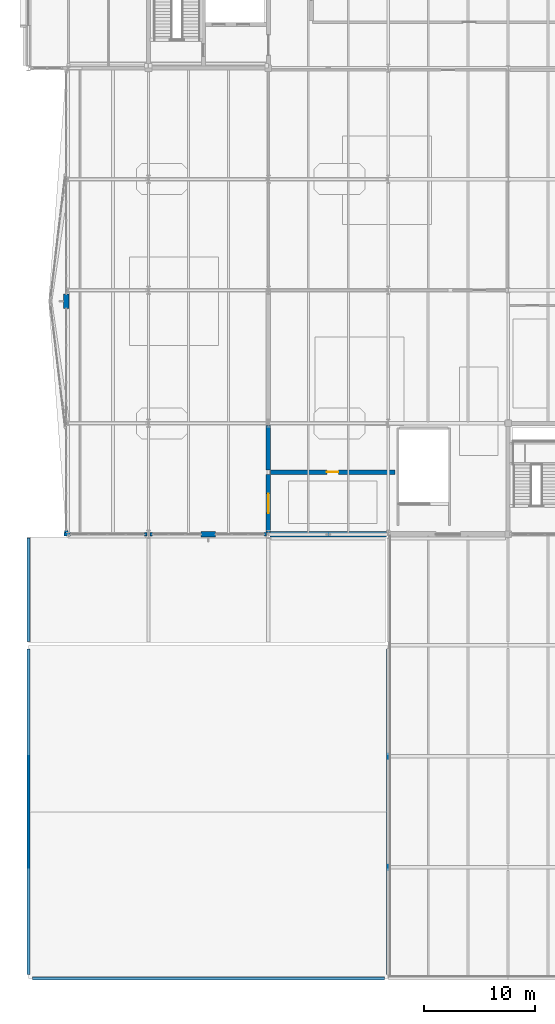
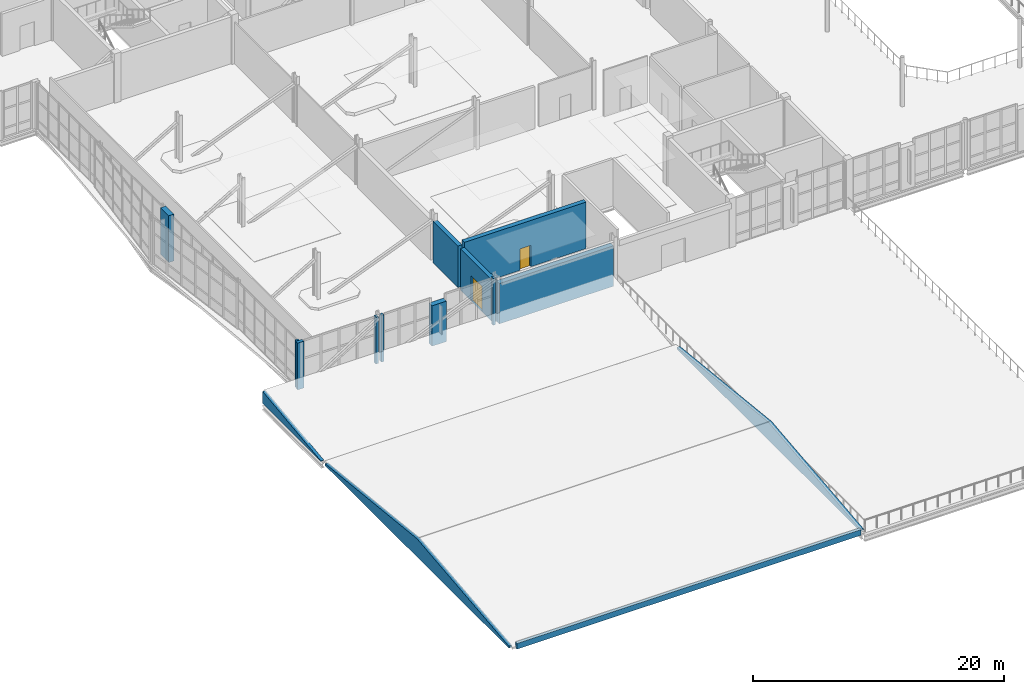
# One storey, part 83 of 100: 15 walls, 2 doors, 2 openings.
"""IFC4 building model written with IfcOpenShell, lengths in metres."""

from ifc_helpers import new_model, si_unit, direction, frame, frame_2d, origin, place, context, subcontext, project, spatial, polyline, rectangle, outline, extrude, material, layer, layer_set, type_object, element, fill, save


model = new_model("IFC4")

# Units and contexts
model_context = context("Model", 3, precision=1e-05, world=origin(), true_north=direction((0.0, 1.0)))
body_context = subcontext(model_context, "Body", "Model", "MODEL_VIEW")
ifc_project = project(units=[si_unit("LENGTHUNIT", "METRE"), si_unit("AREAUNIT", "SQUARE_METRE"), si_unit("VOLUMEUNIT", "CUBIC_METRE"), si_unit("PLANEANGLEUNIT", "RADIAN"), si_unit("MASSUNIT", "GRAM", prefix="KILO")], contexts=[model_context])

# Site, building, storey
site_placement = place(None, origin())
site = spatial("IfcSite", under=ifc_project, at=site_placement, CompositionType="ELEMENT")
building_placement = place(site_placement, origin())
building = spatial("IfcBuilding", under=site, at=building_placement, Name="Tasgan Crest Museum", CompositionType="ELEMENT")
storey_placement = place(building_placement, frame((0.0, 0.0, 9.60009765625)))
storey = spatial("IfcBuildingStorey", under=building, at=storey_placement, Name="L02", CompositionType="ELEMENT", Elevation=9.60009765625)

# Walls
ifc_material_1 = material(Name="Precast concrete C40/50", Category="concrete")
ifc_layer_1 = layer(ifc_material_1, 0.320068359375, Name="WL-EXT-CLER-320")
ifc_layer_set_1 = layer_set([ifc_layer_1], Name="Precast concrete C40/50")
wall_type_1 = type_object("IfcWallType", Name="WL-EXT-CLER-320", PredefinedType="STANDARD", material=ifc_layer_set_1)
wall_1_placement = place(storey_placement, frame((3.39990234375, 40.3701171875, 0.0), z_axis=(0.0, 0.0, 1.0), x_axis=(0.0, -1.0, 0.0)))
element("IfcWall", 1, at=wall_1_placement, inside=storey, type_object=wall_type_1, Name="Curtain wall jamb closure L02 JR", PredefinedType="STANDARD", context=body_context, shape_type="SweptSolid", body=[
    extrude(rectangle(XDim=0.190185546875, YDim=0.300048828125, at=frame_2d((0.09521484375, 0.0))), origin(), (0.0, 0.0, 1.0), 4.559814453125),
])
wall_2_placement = place(storey_placement, frame((3.2099609375, 40.0, 0.0), z_axis=(0.0, 0.0, 1.0), x_axis=(1.0, 0.0, 0.0)))
element("IfcWall", 2, at=wall_2_placement, inside=storey, type_object=wall_type_1, Name="Curtain wall jamb closure L02 JL", PredefinedType="STANDARD", context=body_context, shape_type="SweptSolid", body=[
    extrude(rectangle(XDim=0.56005859375, YDim=0.300048828125, at=frame_2d((0.280029296875, 0.0))), origin(), (0.0, 0.0, 1.0), 4.559814453125),
])
wall_3_placement = place(storey_placement, frame((10.429931640625, 40.0, 0.0), z_axis=(0.0, 0.0, 1.0), x_axis=(1.0, 0.0, 0.0)))
element("IfcWall", 3, at=wall_3_placement, inside=storey, type_object=wall_type_1, Name="Curtain wall jamb closure L02 JR", PredefinedType="STANDARD", context=body_context, shape_type="SweptSolid", body=[
    extrude(rectangle(XDim=0.22509765625, YDim=0.300048828125, at=frame_2d((0.112548828125, 0.0))), origin(), (0.0, 0.0, 1.0), 4.559814453125),
])
wall_4_placement = place(storey_placement, frame((10.945068359375, 40.0, 0.0), z_axis=(0.0, 0.0, 1.0), x_axis=(1.0, 0.0, 0.0)))
element("IfcWall", 4, at=wall_4_placement, inside=storey, type_object=wall_type_1, Name="Curtain wall jamb closure L02 JL", PredefinedType="STANDARD", context=body_context, shape_type="SweptSolid", body=[
    extrude(rectangle(XDim=0.224853515625, YDim=0.300048828125, at=frame_2d((0.1123046875, 0.0))), origin(), (0.0, 0.0, 1.0), 4.559814453125),
])
wall_5_placement = place(storey_placement, frame((21.22998046875, 40.0, 0.0), z_axis=(0.0, 0.0, 1.0), x_axis=(1.0, 0.0, 0.0)))
element("IfcWall", 5, at=wall_5_placement, inside=storey, type_object=wall_type_1, Name="Curtain wall jamb closure L02 JR", PredefinedType="STANDARD", context=body_context, shape_type="SweptSolid", body=[
    extrude(rectangle(XDim=0.22509765625, YDim=0.300048828125, at=frame_2d((0.112548828125, 0.0))), origin(), (0.0, 0.0, 1.0), 4.559814453125),
])
wall_6_placement = place(storey_placement, frame((0.0, 0.35009765625, -0.02001953125), z_axis=(0.0, 0.0, 1.0), x_axis=(0.0, 1.0, 0.0)))
element("IfcWall", 6, at=wall_6_placement, inside=storey, type_object=wall_type_1, Name="Sloped roof gable wall AUD-W", PredefinedType="STANDARD", context=body_context, shape_type="SweptSolid", body=[
    extrude(outline(polyline([(0.0, 0.0), (29.2998046875, 0.0), (29.300048828125, 0.199951171875), (14.64990234375, 1.77001953125), (0.0, 0.199951171875), (0.0, 0.0)])), frame((0.0, 0.14013671875, 0.0), z_axis=(0.0, -1.0, 0.0), x_axis=(1.0, 0.0, 0.0)), (0.0, 0.0, 1.0), 0.280029296875),
])
wall_7_placement = place(storey_placement, frame((32.39990234375, 0.35009765625, 0.0), z_axis=(0.0, 0.0, 1.0), x_axis=(0.0, 1.0, 0.0)))
element("IfcWall", 7, at=wall_7_placement, inside=storey, type_object=wall_type_1, Name="Sloped roof gable wall AUD-E", PredefinedType="STANDARD", context=body_context, shape_type="SweptSolid", body=[
    extrude(outline(polyline([(0.0, 0.0), (29.2998046875, 0.0), (29.300048828125, 0.179931640625), (14.64990234375, 1.75), (0.0, 0.179931640625), (0.0, 0.0)])), frame((0.0, 0.14013671875, 0.0), z_axis=(0.0, -1.0, 0.0), x_axis=(1.0, 0.0, 0.0)), (0.0, 0.0, 1.0), 0.280029296875),
])
wall_8_placement = place(storey_placement, frame((0.0, 30.35009765625, -0.02001953125), z_axis=(0.0, 0.0, 1.0), x_axis=(0.0, 1.0, 0.0)))
element("IfcWall", 8, at=wall_8_placement, inside=storey, type_object=wall_type_1, Name="Sloped roof gable wall V1FOY-W", PredefinedType="STANDARD", context=body_context, shape_type="SweptSolid", body=[
    extrude(outline(polyline([(0.0, 0.0), (9.2998046875, 0.0), (9.300048828125, 1.179931640625), (0.0, 0.0400390625), (0.0, 0.0)])), frame((0.0, 0.14013671875, 0.0), z_axis=(0.0, -1.0, 0.0), x_axis=(1.0, 0.0, 0.0)), (0.0, 0.0, 1.0), 0.280029296875),
])
ifc_material_2 = material(Name="Precast concrete C40/50", Category="concrete")
ifc_layer_2 = layer(ifc_material_2, 0.47998046875, Name="WL-EXT-GRAN-480")
ifc_layer_set_2 = layer_set([ifc_layer_2], Name="Precast concrete C40/50")
wall_type_2 = type_object("IfcWallType", Name="WL-EXT-GRAN-480", PredefinedType="STANDARD", material=ifc_layer_set_2)
wall_9_placement = place(storey_placement, frame((3.39990234375, 61.64990234375, 0.0), z_axis=(0.0, 0.0, 1.0), x_axis=(0.0, -1.0, 0.0)))
element("IfcWall", 9, at=wall_9_placement, inside=storey, type_object=wall_type_2, Name="Postmodern facade stone pier L02", PredefinedType="STANDARD", context=body_context, shape_type="SweptSolid", body=[
    extrude(rectangle(XDim=1.2998046875, YDim=0.47998046875, at=frame_2d((0.64990234375, 0.0))), origin(), (0.0, 0.0, 1.0), 4.559814453125),
])
wall_10_placement = place(storey_placement, frame((15.550048828125, 40.0, 0.0), z_axis=(0.0, 0.0, 1.0), x_axis=(1.0, 0.0, 0.0)))
element("IfcWall", 10, at=wall_10_placement, inside=storey, type_object=wall_type_2, Name="Postmodern facade stone pier L02", PredefinedType="STANDARD", context=body_context, shape_type="SweptSolid", body=[
    extrude(rectangle(XDim=1.300048828125, YDim=0.47998046875, at=frame_2d((0.64990234375, 0.0))), origin(), (0.0, 0.0, 1.0), 3.93994140625),
])
wall_11_placement = place(storey_placement, frame((21.7451171875, 40.0, 0.0), z_axis=(0.0, 0.0, 1.0), x_axis=(1.0, 0.0, 0.0)))
element("IfcWall", 11, at=wall_11_placement, inside=storey, type_object=wall_type_2, Name="Exterior wall L02 (27.0,40.0)", PredefinedType="STANDARD", context=body_context, shape_type="SweptSolid", body=[
    extrude(rectangle(XDim=10.509765625, YDim=0.47998046875, at=frame_2d((5.2548828125, 0.0))), origin(), (0.0, 0.0, 1.0), 3.93994140625),
])
ifc_material_3 = material(Name="Precast concrete C40/50", Category="concrete")
ifc_layer_3 = layer(ifc_material_3, 0.260009765625, Name="WL-PARAPET-260")
ifc_layer_set_3 = layer_set([ifc_layer_3], Name="Precast concrete C40/50")
wall_type_3 = type_object("IfcWallType", Name="WL-PARAPET-260", PredefinedType="PARAPET", material=ifc_layer_set_3)
wall_12_placement = place(storey_placement, frame((0.35009765625, 0.0, 0.0), z_axis=(0.0, 0.0, 1.0), x_axis=(1.0, 0.0, 0.0)))
element("IfcWall", 12, at=wall_12_placement, inside=storey, type_object=wall_type_3, Name="Roof parapet L02 AUD-S", PredefinedType="PARAPET", context=body_context, shape_type="SweptSolid", body=[
    extrude(rectangle(XDim=31.699951171875, YDim=0.260009765625, at=frame_2d((15.85009765625, 0.0))), origin(), (0.0, 0.0, 1.0), 0.5498046875),
])

# Wall, opening, door
ifc_material_4 = material(Name="Gypsum Acoustic Museum Partition")
ifc_layer_4 = layer(ifc_material_4, 0.389892578125, Name="WL-SCH-13")
ifc_layer_set_4 = layer_set([ifc_layer_4], Name="Gypsum Acoustic Museum Partition")
wall_type_4 = type_object("IfcWallType", Name="WL-SCH-13", PredefinedType="PARTITIONING", material=ifc_layer_set_4)
wall_13_placement = place(storey_placement, frame((21.60009765625, 40.179931640625, 0.0), z_axis=(0.0, 0.0, 1.0), x_axis=(0.0, 1.0, 0.0)))
wall_13 = element("IfcWall", 13, at=wall_13_placement, inside=storey, type_object=wall_type_4, Name="Partition Cantilevered Panorama Natural History Gallery / Second Floor West Gallery Corridor L02", PredefinedType="PARTITIONING", context=body_context, shape_type="SweptSolid", body=[
    extrude(rectangle(XDim=5.219970703125, YDim=0.389892578125, at=frame_2d((2.60986328125, 0.0))), origin(), (0.0, 0.0, 1.0), 4.038818359375),
])
opening_1_placement = place(wall_13_placement, frame((1.735107421875, 0.0, 0.0)))
opening_1 = element("IfcOpeningElement", 14, at=opening_1_placement, cuts=wall_13, Name="Opening D068", PredefinedType="OPENING", context=body_context, shape_type="SweptSolid", body=[
    extrude(rectangle(XDim=1.75, YDim=2.449951171875, at=frame_2d((0.875, 1.22509765625))), frame((0.0, 0.204833984375, 0.0), z_axis=(0.0, -1.0, 0.0), x_axis=(1.0, 0.0, 0.0)), (0.0, 0.0, 1.0), 0.409912109375),
])
ifc_material_5 = material(Name="Oak and Brushed Bronze Acoustic Door")
door_type_1 = type_object("IfcDoorType", Name="DR-SCH-12", OperationType="NOTDEFINED", PredefinedType="DOOR", material=ifc_material_5)
door_1_placement = place(opening_1_placement, origin())
door_1 = element("IfcDoor", 15, at=door_1_placement, inside=storey, type_object=door_type_1, Name="Cantilevered Panorama Natural History Gallery door D068", OperationType="SINGLE_SWING_RIGHT", OverallHeight=2.449951171875, OverallWidth=1.75, PredefinedType="DOOR", context=body_context, shape_type="SweptSolid", body=[
    extrude(rectangle(XDim=1.75, YDim=2.449951171875, at=frame_2d((0.875, 1.22509765625))), frame((0.0, 0.02490234375, 0.0), z_axis=(0.0, -1.0, 0.0), x_axis=(1.0, 0.0, 0.0)), (0.0, 0.0, 1.0), 0.050048828125),
])
fill(opening_1, door_1)

# Wall
wall_14_placement = place(storey_placement, frame((21.60009765625, 45.800048828125, 0.0), z_axis=(0.0, 0.0, 1.0), x_axis=(0.0, 1.0, 0.0)))
element("IfcWall", 16, at=wall_14_placement, inside=storey, type_object=wall_type_4, Name="Partition Cantilevered Panorama Natural History Gallery / Theropod Evolution Exhibition Gallery L02", PredefinedType="PARTITIONING", context=body_context, shape_type="SweptSolid", body=[
    extrude(rectangle(XDim=4.0, YDim=0.389892578125, at=frame_2d((2.0, 0.0))), origin(), (0.0, 0.0, 1.0), 4.038818359375),
])

# Wall, opening, door
ifc_material_6 = material(Name="Gypsum Acoustic Museum Partition")
ifc_layer_5 = layer(ifc_material_6, 0.409912109375, Name="WL-SCH-14")
ifc_layer_set_5 = layer_set([ifc_layer_5], Name="Gypsum Acoustic Museum Partition")
wall_type_5 = type_object("IfcWallType", Name="WL-SCH-14", PredefinedType="PARTITIONING", material=ifc_layer_set_5)
wall_15_placement = place(storey_placement, frame((21.780029296875, 45.60009765625, 0.0), z_axis=(0.0, 0.0, 1.0), x_axis=(1.0, 0.0, 0.0)))
wall_15 = element("IfcWall", 17, at=wall_15_placement, inside=storey, type_object=wall_type_5, Name="Partition Second Floor West Gallery Corridor / Theropod Evolution Exhibition Gallery L02", PredefinedType="PARTITIONING", context=body_context, shape_type="SweptSolid", body=[
    extrude(rectangle(XDim=11.219970703125, YDim=0.409912109375, at=frame_2d((5.60986328125, 0.0))), origin(), (0.0, 0.0, 1.0), 4.52001953125),
])
opening_2_placement = place(wall_15_placement, frame((5.10009765625, 0.0, 0.0)))
opening_2 = element("IfcOpeningElement", 18, at=opening_2_placement, cuts=wall_15, Name="Opening D057", PredefinedType="OPENING", context=body_context, shape_type="SweptSolid", body=[
    extrude(rectangle(XDim=1.02001953125, YDim=2.10009765625, at=frame_2d((0.510009765625, 1.050048828125))), frame((0.0, 0.21484375, 0.0), z_axis=(0.0, -1.0, 0.0), x_axis=(1.0, 0.0, 0.0)), (0.0, 0.0, 1.0), 0.429931640625),
])
ifc_material_7 = material(Name="Oak and Brushed Bronze Acoustic Door")
door_type_2 = type_object("IfcDoorType", Name="DR-SCH-01", OperationType="NOTDEFINED", PredefinedType="DOOR", material=ifc_material_7)
door_2_placement = place(opening_2_placement, origin())
door_2 = element("IfcDoor", 19, at=door_2_placement, inside=storey, type_object=door_type_2, Name="Theropod Evolution Exhibition Gallery door D057", OperationType="SINGLE_SWING_RIGHT", OverallHeight=2.10009765625, OverallWidth=1.02001953125, PredefinedType="DOOR", context=body_context, shape_type="SweptSolid", body=[
    extrude(rectangle(XDim=1.02001953125, YDim=2.10009765625, at=frame_2d((0.510009765625, 1.050048828125))), frame((0.0, 0.02490234375, 0.0), z_axis=(0.0, -1.0, 0.0), x_axis=(1.0, 0.0, 0.0)), (0.0, 0.0, 1.0), 0.050048828125),
])
fill(opening_2, door_2)

save(model, "model.ifc")
